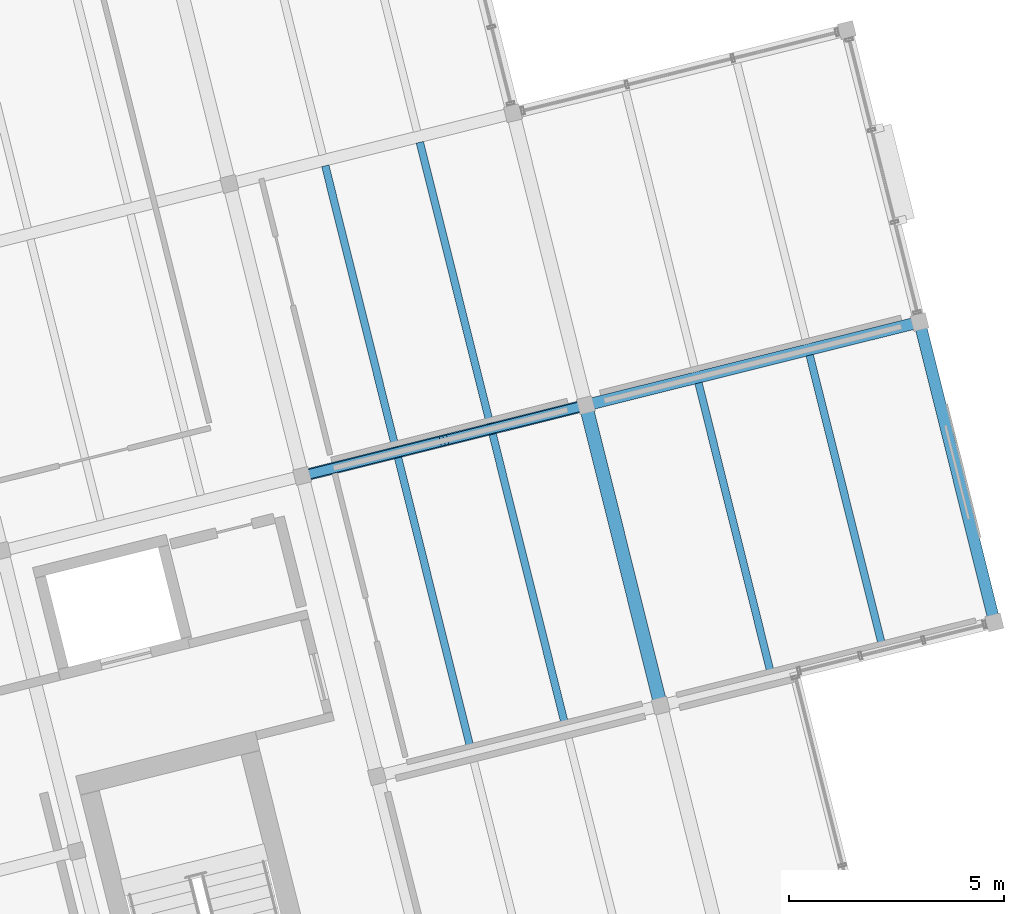
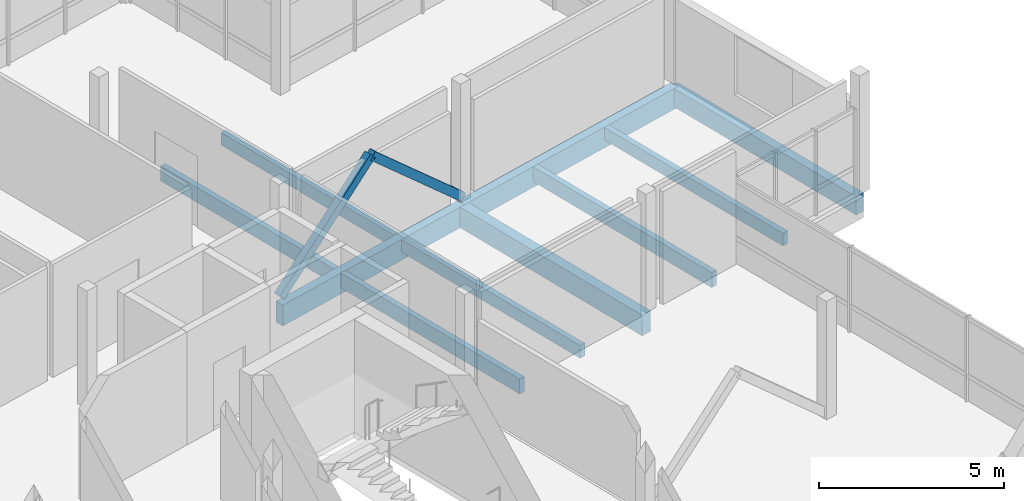
# One storey, part 15 of 28: 10 beams, 2 members.
"""IFC4 building model written with IfcOpenShell, lengths in metres."""

from ifc_helpers import new_model, si_unit, direction, frame, origin, origin_2d, place, context, subcontext, project, spatial, rectangle, extrude, material, material_profile, profile_set, type_object, element, save


model = new_model("IFC4")

# Units and contexts
model_context = context("Model", 3, precision=1e-05, world=origin(), true_north=direction((0.0, 1.0)))
body_context = subcontext(model_context, "Body", "Model", "MODEL_VIEW")
ifc_project = project(units=[si_unit("LENGTHUNIT", "METRE"), si_unit("AREAUNIT", "SQUARE_METRE"), si_unit("VOLUMEUNIT", "CUBIC_METRE"), si_unit("PLANEANGLEUNIT", "RADIAN"), si_unit("MASSUNIT", "GRAM", prefix="KILO")], contexts=[model_context])

# Site, building, storey
site_placement = place(None, origin())
site = spatial("IfcSite", under=ifc_project, at=site_placement, CompositionType="ELEMENT")
building_placement = place(site_placement, origin())
building = spatial("IfcBuilding", under=site, at=building_placement, Name="Meriwether Solvik Hall", CompositionType="ELEMENT")
storey_placement = place(building_placement, frame((0.0, 0.0, 37.800048828125)))
storey = spatial("IfcBuildingStorey", under=building, at=storey_placement, Name="L09", CompositionType="ELEMENT", Elevation=37.800048828125)

# Beams
ifc_material_1 = material(Name="Glulam Douglas-Fir 24F-V8 GL28h", Category="wood")
ifc_material_profile_1 = material_profile(ifc_material_1, rectangle(XDim=0.27294921875, YDim=0.610107421875, at=origin_2d()), Name="GLB-273X610")
ifc_profile_set_1 = profile_set([ifc_material_profile_1], Name="Glulam Douglas-Fir 24F-V8 GL28h")
beam_type_1 = type_object("IfcBeamType", Name="BM-GL-273X610", PredefinedType="SPANDREL", material=ifc_profile_set_1)
beam_1_placement = place(storey_placement, frame((107.95458984375, 65.234619140625, -0.485107421875), z_axis=(-0.241937193493, 0.970291911955, 0.0), x_axis=(-0.970291911955, -0.241937193493, 0.0)))
element("IfcBeam", 1, at=beam_1_placement, inside=storey, type_object=beam_type_1, Name="Tower Girder T7:TC-TD (L09)", PredefinedType="SPANDREL", context=body_context, shape_type="SweptSolid", body=[
    extrude(rectangle(XDim=0.27294921875, YDim=0.610107421875, at=origin_2d()), origin(), (0.0, 0.0, 1.0), 7.199951171875),
])
ifc_material_2 = material(Name="Glulam Douglas-Fir 24F-V8 GL28h", Category="wood")
ifc_material_profile_2 = material_profile(ifc_material_2, rectangle(XDim=0.27294921875, YDim=0.68505859375, at=origin_2d()), Name="GLB-273X685")
ifc_profile_set_2 = profile_set([ifc_material_profile_2], Name="Glulam Douglas-Fir 24F-V8 GL28h")
beam_type_2 = type_object("IfcBeamType", Name="BM-GL-273X685", PredefinedType="BEAM", material=ifc_profile_set_2)
beam_2_placement = place(storey_placement, frame((91.852294921875, 68.640380859375, -0.5224609375), z_axis=(0.970296478685, 0.241918877831, 0.0), x_axis=(-0.241918877831, 0.970296478685, 0.0)))
element("IfcBeam", 2, at=beam_2_placement, inside=storey, type_object=beam_type_2, Name="Tower Girder TD:T5-T6 (L09)", PredefinedType="BEAM", context=body_context, shape_type="SweptSolid", body=[
    extrude(rectangle(XDim=0.27294921875, YDim=0.68505859375, at=origin_2d()), origin(), (0.0, 0.0, 1.0), 6.7998046875),
])
beam_3_placement = place(storey_placement, frame((98.4501953125, 70.285400390625, -0.5224609375), z_axis=(0.970298475929, 0.241910867076, 0.0), x_axis=(-0.241910867076, 0.970298475929, 0.0)))
element("IfcBeam", 3, at=beam_3_placement, inside=storey, type_object=beam_type_2, Name="Tower Girder TD:T6-T7 (L09)", PredefinedType="BEAM", context=body_context, shape_type="SweptSolid", body=[
    extrude(rectangle(XDim=0.27294921875, YDim=0.68505859375, at=origin_2d()), origin(), (0.0, 0.0, 1.0), 8.0),
])
ifc_material_3 = material(Name="Glulam Douglas-Fir 24F-V8 GL28h", Category="wood")
ifc_material_profile_3 = material_profile(ifc_material_3, rectangle(XDim=0.31494140625, YDim=0.68505859375, at=origin_2d()), Name="GLB-315X685")
ifc_profile_set_3 = profile_set([ifc_material_profile_3], Name="Glulam Douglas-Fir 24F-V8 GL28h")
beam_type_3 = type_object("IfcBeamType", Name="BM-GL-315X685", PredefinedType="BEAM", material=ifc_profile_set_3)
beam_4_placement = place(storey_placement, frame((100.192138671875, 63.29931640625, -0.5224609375), z_axis=(-0.241937193493, 0.970291911955, 0.0), x_axis=(-0.970291911955, -0.241937193493, 0.0)))
element("IfcBeam", 4, at=beam_4_placement, inside=storey, type_object=beam_type_3, Name="Tower Girder T6:TC-TD (L09)", PredefinedType="BEAM", context=body_context, shape_type="SweptSolid", body=[
    extrude(rectangle(XDim=0.31494140625, YDim=0.68505859375, at=origin_2d()), origin(), (0.0, 0.0, 1.0), 7.199951171875),
])
ifc_material_4 = material(Name="Glulam Douglas-Fir 24F-V8 GL28h", Category="wood")
ifc_material_profile_4 = material_profile(ifc_material_4, rectangle(XDim=0.175048828125, YDim=0.419921875, at=origin_2d()), Name="GLJ-175X420")
ifc_profile_set_4 = profile_set([ifc_material_profile_4], Name="Glulam Douglas-Fir 24F-V8 GL28h")
beam_type_4 = type_object("IfcBeamType", Name="JST-GL-175X420", PredefinedType="JOIST", material=ifc_profile_set_4)
beam_5_placement = place(storey_placement, frame((97.9609375, 62.87841796875, -0.39013671875), z_axis=(-0.241922788949, 0.970295503539, 0.0), x_axis=(-0.970295503539, -0.241922788949, 0.0)))
element("IfcBeam", 5, at=beam_5_placement, inside=storey, type_object=beam_type_4, Name="Glulam Floor Joist T5/TC-J2 (L09)", PredefinedType="JOIST", context=body_context, shape_type="SweptSolid", body=[
    extrude(rectangle(XDim=0.175048828125, YDim=0.419921875, at=origin_2d()), origin(), (0.0, 0.0, 1.0), 6.93701171875),
])
beam_6_placement = place(storey_placement, frame((96.218994140625, 69.86474609375, -0.39013671875), z_axis=(-0.241896058636, 0.970302167789, 0.0), x_axis=(-0.970302167789, -0.241896058636, 0.0)))
element("IfcBeam", 6, at=beam_6_placement, inside=storey, type_object=beam_type_4, Name="Glulam Floor Joist T5/TD-J2 (L09)", PredefinedType="JOIST", context=body_context, shape_type="SweptSolid", body=[
    extrude(rectangle(XDim=0.175048828125, YDim=0.419921875, at=origin_2d()), origin(), (0.0, 0.0, 1.0), 6.73681640625),
])
beam_7_placement = place(storey_placement, frame((105.335205078125, 64.717041015625, -0.39013671875), z_axis=(-0.241922788949, 0.970295503539, 0.0), x_axis=(-0.970295503539, -0.241922788949, 0.0)))
element("IfcBeam", 7, at=beam_7_placement, inside=storey, type_object=beam_type_4, Name="Glulam Floor Joist T6/TC-J2 (L09)", PredefinedType="JOIST", context=body_context, shape_type="SweptSolid", body=[
    extrude(rectangle(XDim=0.175048828125, YDim=0.419921875, at=origin_2d()), origin(), (0.0, 0.0, 1.0), 6.93701171875),
])
ifc_material_5 = material(Name="Glulam Douglas-Fir 24F-V8 GL28h", Category="wood")
ifc_material_profile_5 = material_profile(ifc_material_5, rectangle(XDim=0.175048828125, YDim=0.4951171875, at=origin_2d()), Name="GLJ-175X495")
ifc_profile_set_5 = profile_set([ifc_material_profile_5], Name="Glulam Douglas-Fir 24F-V8 GL28h")
beam_type_5 = type_object("IfcBeamType", Name="JST-GL-175X495", PredefinedType="JOIST", material=ifc_profile_set_5)
beam_8_placement = place(storey_placement, frame((95.76171875, 62.330078125, -0.427490234375), z_axis=(-0.241922788949, 0.970295503539, 0.0), x_axis=(-0.970295503539, -0.241922788949, 0.0)))
element("IfcBeam", 8, at=beam_8_placement, inside=storey, type_object=beam_type_5, Name="Glulam Floor Joist T5/TC-J1 (L09)", PredefinedType="JOIST", context=body_context, shape_type="SweptSolid", body=[
    extrude(rectangle(XDim=0.175048828125, YDim=0.4951171875, at=origin_2d()), origin(), (0.0, 0.0, 1.0), 6.93701171875),
])
beam_9_placement = place(storey_placement, frame((94.019775390625, 69.31640625, -0.427490234375), z_axis=(-0.241930176813, 0.9702936615, 0.0), x_axis=(-0.9702936615, -0.241930176813, 0.0)))
element("IfcBeam", 9, at=beam_9_placement, inside=storey, type_object=beam_type_5, Name="Glulam Floor Joist T5/TD-J1 (L09)", PredefinedType="JOIST", context=body_context, shape_type="SweptSolid", body=[
    extrude(rectangle(XDim=0.175048828125, YDim=0.4951171875, at=origin_2d()), origin(), (0.0, 0.0, 1.0), 6.737060546875),
])
beam_10_placement = place(storey_placement, frame((102.747802734375, 64.072021484375, -0.427490234375), z_axis=(-0.241922788949, 0.970295503539, 0.0), x_axis=(-0.970295503539, -0.241922788949, 0.0)))
element("IfcBeam", 10, at=beam_10_placement, inside=storey, type_object=beam_type_5, Name="Glulam Floor Joist T6/TC-J1 (L09)", PredefinedType="JOIST", context=body_context, shape_type="SweptSolid", body=[
    extrude(rectangle(XDim=0.175048828125, YDim=0.4951171875, at=origin_2d()), origin(), (0.0, 0.0, 1.0), 6.93701171875),
])

# Members
ifc_material_6 = material(Name="Glulam Douglas-Fir 24F-V8 GL28h", Category="wood")
ifc_material_profile_6 = material_profile(ifc_material_6, rectangle(XDim=0.221923828125, YDim=0.26708984375, at=origin_2d()), Name="GLM-222X267")
ifc_profile_set_6 = profile_set([ifc_material_profile_6], Name="Glulam Douglas-Fir 24F-V8 GL28h")
member_type = type_object("IfcMemberType", Name="MEM-BR-GL222", PredefinedType="BRACE", material=ifc_profile_set_6)
for number, where, z_axis, x_axis, name in (
    (11, (91.852294921875, 68.640380859375, 0.050048828125), (0.72578534079, 0.180949516253, 0.663696400218), (-0.24191045034, 0.970298579828, 0.0), "Tower Chevron Brace L09-B4A"),
    (12, (98.4501953125, 70.285400390625, 0.050048828125), (-0.725759921744, -0.180956570186, 0.663722273016), (0.241927305891, -0.970294377323, 0.0), "Tower Chevron Brace L09-B4B"),
):
    element("IfcMember", number, at=place(storey_placement, frame(where, z_axis=z_axis, x_axis=x_axis)), inside=storey, type_object=member_type, Name=name, PredefinedType="BRACE", context=body_context, shape_type="SweptSolid", body=[
        extrude(rectangle(XDim=0.221923828125, YDim=0.26708984375, at=origin_2d()), origin(), (0.0, 0.0, 1.0), 4.54541015625),
    ])

save(model, "model.ifc")
